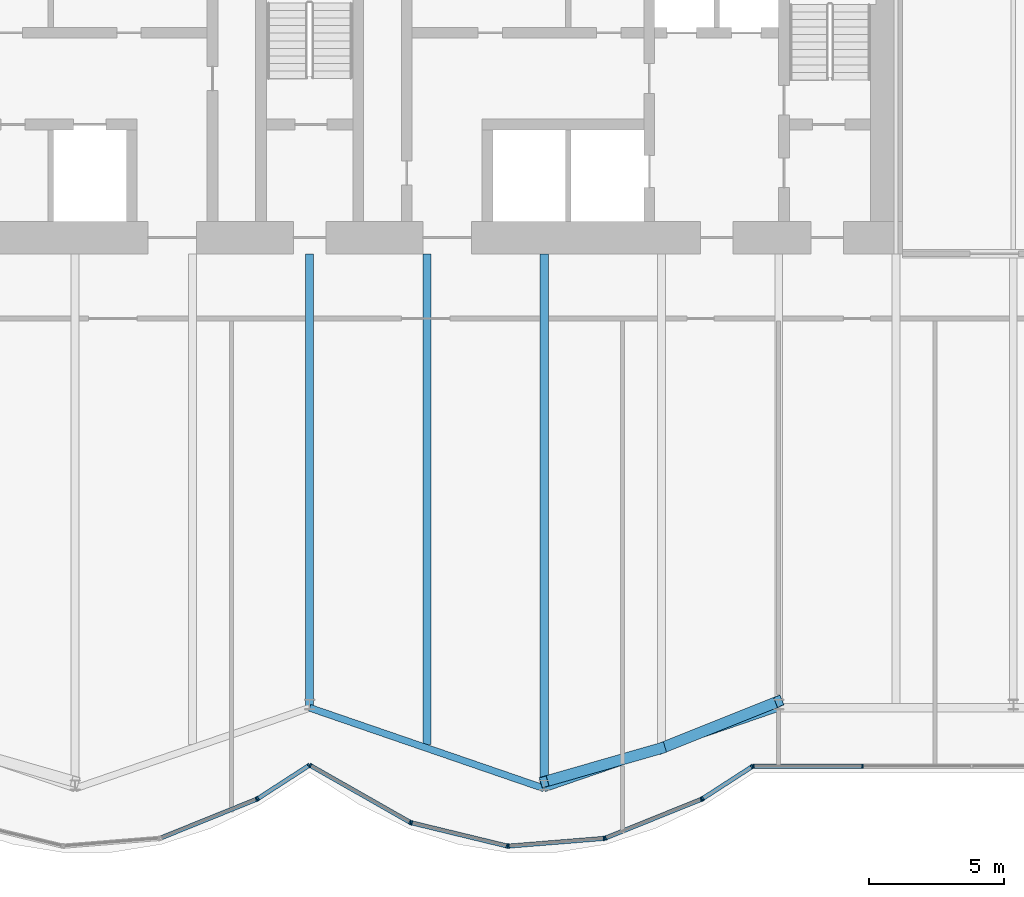
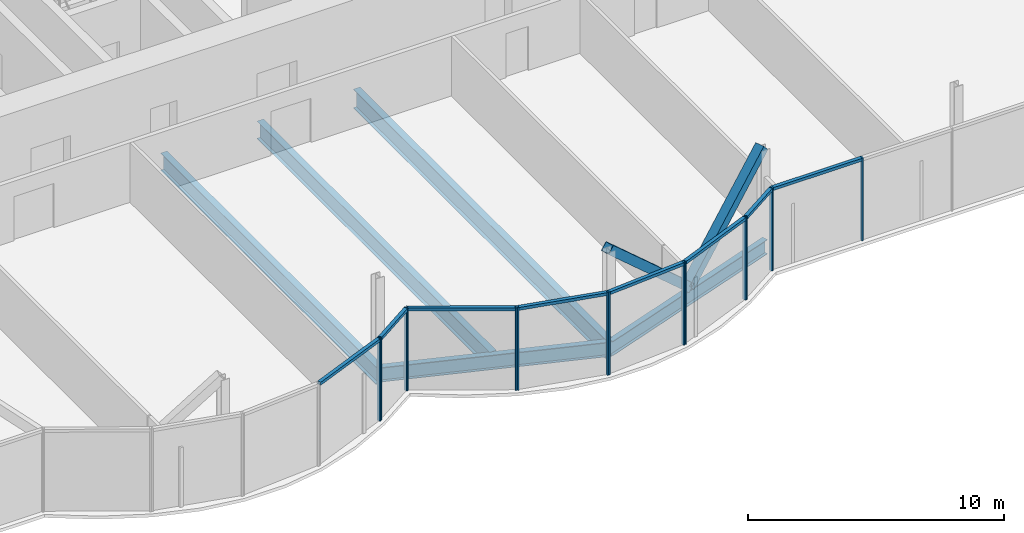
# One storey, part 8 of 20: 25 members, 5 beams, 3 elements without a shape of their own.
"""IFC4 building model written with IfcOpenShell, lengths in metres."""

from ifc_helpers import new_model, si_unit, direction, frame, origin, origin_2d, place, context, subcontext, project, spatial, rectangle, hollow_rectangle, i_section, extrude, material, material_profile, profile_set, type_object, element, aggregate, save


model = new_model("IFC4")

# Units and contexts
model_context = context("Model", 3, precision=1e-05, world=origin(), true_north=direction((0.0, 1.0)))
body_context = subcontext(model_context, "Body", "Model", "MODEL_VIEW")
ifc_project = project(units=[si_unit("LENGTHUNIT", "METRE"), si_unit("AREAUNIT", "SQUARE_METRE"), si_unit("VOLUMEUNIT", "CUBIC_METRE"), si_unit("PLANEANGLEUNIT", "RADIAN"), si_unit("MASSUNIT", "GRAM", prefix="KILO")], contexts=[model_context])

# Site, building, storey
site_placement = place(None, origin())
site = spatial("IfcSite", under=ifc_project, at=site_placement, CompositionType="ELEMENT")
building_placement = place(site_placement, origin())
building = spatial("IfcBuilding", under=site, at=building_placement, Name="Bicima Exchange Tower", CompositionType="ELEMENT")
storey_placement = place(building_placement, frame((0.0, 0.0, 207.300048828125)))
storey = spatial("IfcBuildingStorey", under=building, at=storey_placement, Name="L46", CompositionType="ELEMENT", Elevation=207.300048828125)

# Beams
ifc_material_1 = material(Name="Steel ASTM A992 Gr 50", Category="steel")
ifc_material_profile_1 = material_profile(ifc_material_1, i_section(OverallWidth=0.2919921875, OverallDepth=0.835693359375, WebThickness=0.013916015625, FlangeThickness=0.018798828125, at=origin_2d()))
ifc_profile_set_1 = profile_set([ifc_material_profile_1], Name="Steel ASTM A992 Gr 50")
beam_type_1 = type_object("IfcBeamType", Name="Floor beam W33x118", PredefinedType="JOIST", material=ifc_profile_set_1)
beam_1_placement = place(storey_placement, frame((0.0, -13.0, -0.56787109375), z_axis=(0.0, -1.0, 0.0), x_axis=(1.0, 0.0, 0.0)))
element("IfcBeam", 1, at=beam_1_placement, inside=storey, type_object=beam_type_1, Name="Floor beam", PredefinedType="JOIST", context=body_context, shape_type="SweptSolid", body=[
    extrude(i_section(OverallWidth=0.2919921875, OverallDepth=0.835693359375, WebThickness=0.013916015625, FlangeThickness=0.018798828125, at=origin_2d()), origin(), (0.0, 0.0, 1.0), 16.840087890625),
])
beam_2_placement = place(storey_placement, frame((4.35009765625, -13.0, -0.56787109375), z_axis=(0.0, -1.0, 0.0), x_axis=(1.0, 0.0, 0.0)))
element("IfcBeam", 2, at=beam_2_placement, inside=storey, type_object=beam_type_1, Name="Floor beam", PredefinedType="JOIST", context=body_context, shape_type="SweptSolid", body=[
    extrude(i_section(OverallWidth=0.2919921875, OverallDepth=0.835693359375, WebThickness=0.013916015625, FlangeThickness=0.018798828125, at=origin_2d()), origin(), (0.0, 0.0, 1.0), 18.199951171875),
])
ifc_material_profile_2 = material_profile(ifc_material_1, i_section(OverallWidth=0.3046875, OverallDepth=0.904296875, WebThickness=0.01513671875, FlangeThickness=0.02001953125, at=origin_2d()))
ifc_profile_set_2 = profile_set([ifc_material_profile_2], Name="Steel ASTM A992 Gr 50")
beam_type_2 = type_object("IfcBeamType", Name="Floor beam W36x135", PredefinedType="JOIST", material=ifc_profile_set_2)
beam_3_placement = place(storey_placement, frame((8.699951171875, -13.0, -0.60205078125), z_axis=(0.0, -1.0, 0.0), x_axis=(1.0, 0.0, 0.0)))
element("IfcBeam", 3, at=beam_3_placement, inside=storey, type_object=beam_type_2, Name="Floor beam", PredefinedType="JOIST", context=body_context, shape_type="SweptSolid", body=[
    extrude(i_section(OverallWidth=0.3046875, OverallDepth=0.904296875, WebThickness=0.01513671875, FlangeThickness=0.02001953125, at=origin_2d()), origin(), (0.0, 0.0, 1.0), 19.6953125),
])
ifc_material_profile_3 = material_profile(ifc_material_1, i_section(OverallWidth=0.256591796875, OverallDepth=0.693359375, WebThickness=0.014404296875, FlangeThickness=0.023681640625, at=origin_2d()))
ifc_profile_set_3 = profile_set([ifc_material_profile_3], Name="Steel ASTM A992 Gr 50")
beam_type_3 = type_object("IfcBeamType", Name="Front girder W27x114", PredefinedType="BEAM", material=ifc_profile_set_3)
for number, where, z_axis, x_axis, name in (
    (4, (0.0, -29.840087890625, -0.496826171875), (0.945674616091, -0.32511462668, 0.0), (0.32511462668, 0.945674616091, 0.0), "Front girder"),
    (5, (8.699951171875, -32.8310546875, -0.496826171875), (0.945674616091, 0.32511462668, 0.0), (-0.32511462668, 0.945674616091, 0.0), "Front girder"),
):
    element("IfcBeam", number, at=place(storey_placement, frame(where, z_axis=z_axis, x_axis=x_axis)), inside=storey, type_object=beam_type_3, Name=name, PredefinedType="BEAM", context=body_context, shape_type="SweptSolid", body=[
        extrude(i_section(OverallWidth=0.256591796875, OverallDepth=0.693359375, WebThickness=0.014404296875, FlangeThickness=0.023681640625, at=origin_2d()), origin(), (0.0, 0.0, 1.0), 9.19970703125),
    ])

# Curtain wall, members
ifc_material_2 = material(Name="Anodised bronze aluminium", Category="aluminium")
curtain_wall_type = type_object("IfcCurtainWallType", Name="Front glass wall", PredefinedType="NOTDEFINED", material=ifc_material_2)
curtain_wall_1_placement = place(storey_placement, origin())
curtain_wall_1 = element("IfcCurtainWall", 6, at=curtain_wall_1_placement, inside=storey, type_object=curtain_wall_type, Name="Front glass wall L46 run 6", PredefinedType="NOTDEFINED")
ifc_material_profile_4 = material_profile(ifc_material_2, rectangle(XDim=0.159912109375, YDim=0.06005859375, at=origin_2d()))
ifc_profile_set_4 = profile_set([ifc_material_profile_4], Name="Anodised bronze aluminium")
member_type_1 = type_object("IfcMemberType", Name="Front glass wall mullion 60 x 160", PredefinedType="MULLION", material=ifc_profile_set_4)
member_1_placement = place(storey_placement, frame((-1.97412109375, -33.235595703125, 0.0), z_axis=(0.0, 0.0, 1.0), x_axis=(-0.374705304, 0.92714396679, 0.0)))
member_1 = element("IfcMember", 7, at=member_1_placement, type_object=member_type_1, Name="Front glass wall mullion 2", PredefinedType="MULLION", context=body_context, shape_type="SweptSolid", body=[
    extrude(rectangle(XDim=0.159912109375, YDim=0.06005859375, at=origin_2d()), origin(), (0.0, 0.0, 1.0), 3.949951171875),
])
member_2_placement = place(storey_placement, frame((-1.921142578125, -33.2080078125, 0.0), z_axis=(0.0, 0.0, 1.0), x_axis=(-0.542897457326, 0.839798994301, 0.0)))
member_2 = element("IfcMember", 8, at=member_2_placement, type_object=member_type_1, Name="Front glass wall mullion 1", PredefinedType="MULLION", context=body_context, shape_type="SweptSolid", body=[
    extrude(rectangle(XDim=0.159912109375, YDim=0.06005859375, at=origin_2d()), origin(), (0.0, 0.0, 1.0), 3.949951171875),
])
member_3_placement = place(storey_placement, frame((-0.025146484375, -31.982421875, 0.0), z_axis=(0.0, 0.0, 1.0), x_axis=(-0.542897457326, 0.839798994301, 0.0)))
member_3 = element("IfcMember", 9, at=member_3_placement, type_object=member_type_1, Name="Front glass wall mullion 2", PredefinedType="MULLION", context=body_context, shape_type="SweptSolid", body=[
    extrude(rectangle(XDim=0.159912109375, YDim=0.06005859375, at=origin_2d()), origin(), (0.0, 0.0, 1.0), 3.949951171875),
])

curtain_wall_2_placement = place(storey_placement, origin())
curtain_wall_2 = element("IfcCurtainWall", 10, at=curtain_wall_2_placement, inside=storey, type_object=curtain_wall_type, Name="Front glass wall L46 run 11", PredefinedType="NOTDEFINED")
member_4_placement = place(storey_placement, frame((0.026123046875, -31.98095703125, 0.0), z_axis=(0.0, 0.0, 1.0), x_axis=(0.494330311331, 0.869274147378, 0.0)))
member_4 = element("IfcMember", 11, at=member_4_placement, type_object=member_type_1, Name="Front glass wall mullion 1", PredefinedType="MULLION", context=body_context, shape_type="SweptSolid", body=[
    extrude(rectangle(XDim=0.159912109375, YDim=0.06005859375, at=origin_2d()), origin(), (0.0, 0.0, 1.0), 3.949951171875),
])
member_5_placement = place(storey_placement, frame((3.7265625, -34.08544921875, 0.0), z_axis=(0.0, 0.0, 1.0), x_axis=(0.494330311331, 0.869274147378, 0.0)))
member_5 = element("IfcMember", 12, at=member_5_placement, type_object=member_type_1, Name="Front glass wall mullion 2", PredefinedType="MULLION", context=body_context, shape_type="SweptSolid", body=[
    extrude(rectangle(XDim=0.159912109375, YDim=0.06005859375, at=origin_2d()), origin(), (0.0, 0.0, 1.0), 3.949951171875),
])
member_6_placement = place(storey_placement, frame((3.781982421875, -34.107421875, 0.0), z_axis=(0.0, 0.0, 1.0), x_axis=(0.235681529503, 0.971830343553, 0.0)))
member_6 = element("IfcMember", 13, at=member_6_placement, type_object=member_type_1, Name="Front glass wall mullion 1", PredefinedType="MULLION", context=body_context, shape_type="SweptSolid", body=[
    extrude(rectangle(XDim=0.159912109375, YDim=0.06005859375, at=origin_2d()), origin(), (0.0, 0.0, 1.0), 3.949951171875),
])
member_7_placement = place(storey_placement, frame((7.322509765625, -34.9658203125, 0.0), z_axis=(0.0, 0.0, 1.0), x_axis=(0.235681529503, 0.971830343553, 0.0)))
member_7 = element("IfcMember", 14, at=member_7_placement, type_object=member_type_1, Name="Front glass wall mullion 2", PredefinedType="MULLION", context=body_context, shape_type="SweptSolid", body=[
    extrude(rectangle(XDim=0.159912109375, YDim=0.06005859375, at=origin_2d()), origin(), (0.0, 0.0, 1.0), 3.949951171875),
])
member_8_placement = place(storey_placement, frame((7.381591796875, -34.970703125, 0.0), z_axis=(0.0, 0.0, 1.0), x_axis=(-0.080588612633, 0.99674744821, 0.0)))
member_8 = element("IfcMember", 15, at=member_8_placement, type_object=member_type_1, Name="Front glass wall mullion 1", PredefinedType="MULLION", context=body_context, shape_type="SweptSolid", body=[
    extrude(rectangle(XDim=0.159912109375, YDim=0.06005859375, at=origin_2d()), origin(), (0.0, 0.0, 1.0), 3.949951171875),
])
member_9_placement = place(storey_placement, frame((10.916015625, -34.684814453125, 0.0), z_axis=(0.0, 0.0, 1.0), x_axis=(-0.080588612633, 0.99674744821, 0.0)))
member_9 = element("IfcMember", 16, at=member_9_placement, type_object=member_type_1, Name="Front glass wall mullion 2", PredefinedType="MULLION", context=body_context, shape_type="SweptSolid", body=[
    extrude(rectangle(XDim=0.159912109375, YDim=0.06005859375, at=origin_2d()), origin(), (0.0, 0.0, 1.0), 3.949951171875),
])
member_10_placement = place(storey_placement, frame((10.973876953125, -34.671142578125, 0.0), z_axis=(0.0, 0.0, 1.0), x_axis=(-0.374705304, 0.92714396679, 0.0)))
member_10 = element("IfcMember", 17, at=member_10_placement, type_object=member_type_1, Name="Front glass wall mullion 1", PredefinedType="MULLION", context=body_context, shape_type="SweptSolid", body=[
    extrude(rectangle(XDim=0.159912109375, YDim=0.06005859375, at=origin_2d()), origin(), (0.0, 0.0, 1.0), 3.949951171875),
])
member_11_placement = place(storey_placement, frame((14.52587890625, -33.235595703125, 0.0), z_axis=(0.0, 0.0, 1.0), x_axis=(-0.374705304, 0.92714396679, 0.0)))
member_11 = element("IfcMember", 18, at=member_11_placement, type_object=member_type_1, Name="Front glass wall mullion 2", PredefinedType="MULLION", context=body_context, shape_type="SweptSolid", body=[
    extrude(rectangle(XDim=0.159912109375, YDim=0.06005859375, at=origin_2d()), origin(), (0.0, 0.0, 1.0), 3.949951171875),
])
member_12_placement = place(storey_placement, frame((14.578857421875, -33.2080078125, 0.0), z_axis=(0.0, 0.0, 1.0), x_axis=(-0.542909183079, 0.839791413941, 0.0)))
member_12 = element("IfcMember", 19, at=member_12_placement, type_object=member_type_1, Name="Front glass wall mullion 1", PredefinedType="MULLION", context=body_context, shape_type="SweptSolid", body=[
    extrude(rectangle(XDim=0.159912109375, YDim=0.06005859375, at=origin_2d()), origin(), (0.0, 0.0, 1.0), 3.949951171875),
])
member_13_placement = place(storey_placement, frame((16.406982421875, -32.0263671875, 0.0), z_axis=(0.0, 0.0, 1.0), x_axis=(-0.542909183079, 0.839791413941, 0.0)))
member_13 = element("IfcMember", 20, at=member_13_placement, type_object=member_type_1, Name="Front glass wall mullion 2", PredefinedType="MULLION", context=body_context, shape_type="SweptSolid", body=[
    extrude(rectangle(XDim=0.159912109375, YDim=0.06005859375, at=origin_2d()), origin(), (0.0, 0.0, 1.0), 3.949951171875),
])

curtain_wall_3_placement = place(storey_placement, origin())
curtain_wall_3 = element("IfcCurtainWall", 21, at=curtain_wall_3_placement, inside=storey, type_object=curtain_wall_type, Name="Front glass wall L46 run 16", PredefinedType="NOTDEFINED")
member_14_placement = place(storey_placement, frame((16.462158203125, -32.010009765625, 0.0), z_axis=(0.0, 0.0, 1.0), x_axis=(0.0, 1.0, 0.0)))
member_14 = element("IfcMember", 22, at=member_14_placement, type_object=member_type_1, Name="Front glass wall mullion 1", PredefinedType="MULLION", context=body_context, shape_type="SweptSolid", body=[
    extrude(rectangle(XDim=0.159912109375, YDim=0.06005859375, at=origin_2d()), origin(), (0.0, 0.0, 1.0), 3.949951171875),
])
member_15_placement = place(storey_placement, frame((20.51171875, -32.010009765625, 0.0), z_axis=(0.0, 0.0, 1.0), x_axis=(0.0, 1.0, 0.0)))
member_15 = element("IfcMember", 23, at=member_15_placement, type_object=member_type_1, Name="Front glass wall mullion 2", PredefinedType="MULLION", context=body_context, shape_type="SweptSolid", body=[
    extrude(rectangle(XDim=0.159912109375, YDim=0.06005859375, at=origin_2d()), origin(), (0.0, 0.0, 1.0), 3.949951171875),
])

# Member
ifc_material_profile_5 = material_profile(ifc_material_2, rectangle(XDim=0.159912109375, YDim=0.139892578125, at=origin_2d()))
ifc_profile_set_5 = profile_set([ifc_material_profile_5], Name="Anodised bronze aluminium")
member_type_2 = type_object("IfcMemberType", Name="Front glass wall transom 140 x 160", PredefinedType="USERDEFINED", material=ifc_profile_set_5)
member_16_placement = place(storey_placement, frame((-5.498291015625, -34.659912109375, 3.8798828125), z_axis=(0.927140215882, 0.374714584842, 0.0), x_axis=(-0.374714584842, 0.927140215882, 0.0)))
member_16 = element("IfcMember", 24, at=member_16_placement, type_object=member_type_2, Name="Front glass wall transom 1.1", ObjectType="TRANSOM", PredefinedType="USERDEFINED", context=body_context, shape_type="SweptSolid", body=[
    extrude(rectangle(XDim=0.159912109375, YDim=0.139892578125, at=origin_2d()), origin(), (0.0, 0.0, 1.0), 3.77099609375),
])

member_17_placement = place(storey_placement, frame((-1.89599609375, -33.19189453125, 3.8798828125), z_axis=(0.839811483481, 0.542878137536, 0.0), x_axis=(-0.542878137536, 0.839811483481, 0.0)))
member_17 = element("IfcMember", 25, at=member_17_placement, type_object=member_type_2, Name="Front glass wall transom 1.1", ObjectType="TRANSOM", PredefinedType="USERDEFINED", context=body_context, shape_type="SweptSolid", body=[
    extrude(rectangle(XDim=0.159912109375, YDim=0.139892578125, at=origin_2d()), origin(), (0.0, 0.0, 1.0), 2.19775390625),
])

aggregate(curtain_wall_1, [member_1, member_16, member_2, member_3, member_17])

member_18_placement = place(storey_placement, frame((0.05224609375, -31.995849609375, 3.8798828125), z_axis=(0.869265121745, -0.494346182466, 0.0), x_axis=(0.494346182466, 0.869265121745, 0.0)))
member_18 = element("IfcMember", 26, at=member_18_placement, type_object=member_type_2, Name="Front glass wall transom 1.1", ObjectType="TRANSOM", PredefinedType="USERDEFINED", context=body_context, shape_type="SweptSolid", body=[
    extrude(rectangle(XDim=0.159912109375, YDim=0.139892578125, at=origin_2d()), origin(), (0.0, 0.0, 1.0), 4.19677734375),
])

member_19_placement = place(storey_placement, frame((3.81103515625, -34.1142578125, 3.8798828125), z_axis=(0.971817951661, -0.235732621477, 0.0), x_axis=(0.235732621477, 0.971817951661, 0.0)))
member_19 = element("IfcMember", 27, at=member_19_placement, type_object=member_type_2, Name="Front glass wall transom 1.1", ObjectType="TRANSOM", PredefinedType="USERDEFINED", context=body_context, shape_type="SweptSolid", body=[
    extrude(rectangle(XDim=0.159912109375, YDim=0.139892578125, at=origin_2d()), origin(), (0.0, 0.0, 1.0), 3.58349609375),
])

member_20_placement = place(storey_placement, frame((7.41162109375, -34.96826171875, 3.8798828125), z_axis=(0.9967456465, 0.080610893699, 0.0), x_axis=(-0.080610893699, 0.9967456465, 0.0)))
member_20 = element("IfcMember", 28, at=member_20_placement, type_object=member_type_2, Name="Front glass wall transom 1.1", ObjectType="TRANSOM", PredefinedType="USERDEFINED", context=body_context, shape_type="SweptSolid", body=[
    extrude(rectangle(XDim=0.159912109375, YDim=0.139892578125, at=origin_2d()), origin(), (0.0, 0.0, 1.0), 3.48583984375),
])

member_21_placement = place(storey_placement, frame((11.001708984375, -34.659912109375, 3.8798828125), z_axis=(0.927140215882, 0.374714584842, 0.0), x_axis=(-0.374714584842, 0.927140215882, 0.0)))
member_21 = element("IfcMember", 29, at=member_21_placement, type_object=member_type_2, Name="Front glass wall transom 1.1", ObjectType="TRANSOM", PredefinedType="USERDEFINED", context=body_context, shape_type="SweptSolid", body=[
    extrude(rectangle(XDim=0.159912109375, YDim=0.139892578125, at=origin_2d()), origin(), (0.0, 0.0, 1.0), 3.77099609375),
])

member_22_placement = place(storey_placement, frame((14.60400390625, -33.19189453125, 3.8798828125), z_axis=(0.839740302602, 0.542988235771, 0.0), x_axis=(-0.542988235771, 0.839740302602, 0.0)))
member_22 = element("IfcMember", 30, at=member_22_placement, type_object=member_type_2, Name="Front glass wall transom 1.1", ObjectType="TRANSOM", PredefinedType="USERDEFINED", context=body_context, shape_type="SweptSolid", body=[
    extrude(rectangle(XDim=0.159912109375, YDim=0.139892578125, at=origin_2d()), origin(), (0.0, 0.0, 1.0), 2.116943359375),
])

aggregate(curtain_wall_2, [member_4, member_5, member_18, member_6, member_7, member_19, member_8, member_9, member_20, member_10, member_11, member_21, member_12, member_13, member_22])

member_23_placement = place(storey_placement, frame((16.4921875, -32.010009765625, 3.8798828125), z_axis=(1.0, 0.0, 0.0), x_axis=(0.0, 1.0, 0.0)))
member_23 = element("IfcMember", 31, at=member_23_placement, type_object=member_type_2, Name="Front glass wall transom 1.1", ObjectType="TRANSOM", PredefinedType="USERDEFINED", context=body_context, shape_type="SweptSolid", body=[
    extrude(rectangle(XDim=0.159912109375, YDim=0.139892578125, at=origin_2d()), origin(), (0.0, 0.0, 1.0), 3.989501953125),
])

aggregate(curtain_wall_3, [member_14, member_15, member_23])

# Members
ifc_material_3 = material(Name="Steel ASTM A572 Gr 50", Category="steel")
ifc_material_profile_6 = material_profile(ifc_material_3, hollow_rectangle(XDim=0.406494140625, YDim=0.406494140625, WallThickness=0.0146484375, at=origin_2d()))
ifc_profile_set_6 = profile_set([ifc_material_profile_6], Name="Steel ASTM A572 Gr 50")
member_type_3 = type_object("IfcMemberType", Name="Mega brace HSS16x16x5/8", PredefinedType="BRACE", material=ifc_profile_set_6)
member_24_placement = place(storey_placement, frame((13.050048828125, -31.33544921875, 0.0), z_axis=(0.69872416977, 0.279419077825, 0.658566255988), x_axis=(-0.371309808925, 0.928509033772, 0.0)))
element("IfcMember", 32, at=member_24_placement, inside=storey, type_object=member_type_3, Name="Mega brace front", PredefinedType="BRACE", context=body_context, shape_type="SweptSolid", body=[
    extrude(hollow_rectangle(XDim=0.406494140625, YDim=0.406494140625, WallThickness=0.0146484375, at=origin_2d()), origin(), (0.0, 0.0, 1.0), 6.225341796875),
])
member_25_placement = place(storey_placement, frame((13.050048828125, -31.33544921875, 0.0), z_axis=(-0.712280173437, -0.204953443103, 0.671305474943), x_axis=(0.276522876258, -0.961007335511, 0.0)))
element("IfcMember", 33, at=member_25_placement, inside=storey, type_object=member_type_3, Name="Mega brace front", PredefinedType="BRACE", context=body_context, shape_type="SweptSolid", body=[
    extrude(hollow_rectangle(XDim=0.406494140625, YDim=0.406494140625, WallThickness=0.0146484375, at=origin_2d()), origin(), (0.0, 0.0, 1.0), 6.107177734375),
])

save(model, "model.ifc")
